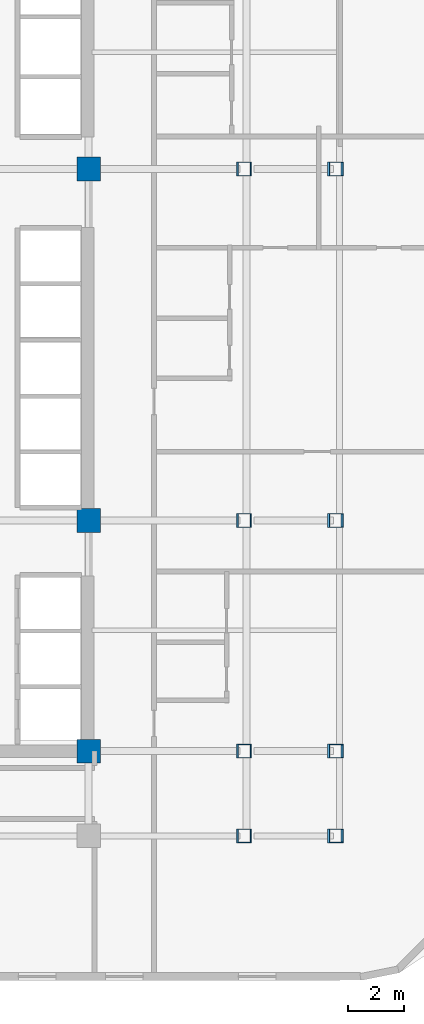
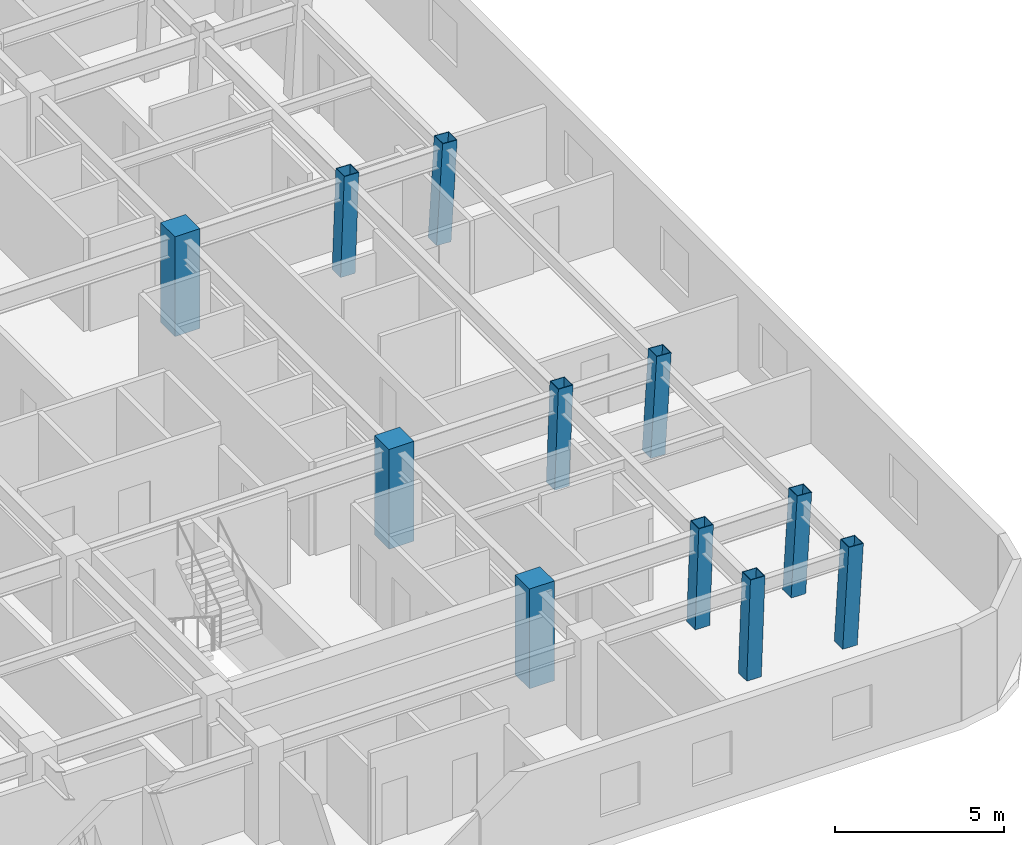
# One storey, part 2 of 12: 11 columns.
"""IFC4 building model written with IfcOpenShell, lengths in metres."""

import ifcopenshell
import ifcopenshell.guid

model = None  # the IFC model being written
_history = None  # IfcOwnerHistory: only IFC2X3 demands one
_inside = {}  # id of a spatial element -> (the spatial element, [elements in it])
_under = {}  # id of a project, library or spatial element -> (it, [spatial elements below it])
_declared = {}  # id of a project -> (the project, [libraries it declares])
_typed = {}  # id of a type object -> (the type object, [elements of that type])
_made_of = {}  # id of a material, layer set ... -> (it, [elements and type objects made of it])


def new_model(schema):
    """Start an empty IFC model of exactly this schema.

    Asked for "IFC4X3", IfcOpenShell would pick the latest addendum, in which some entities
    have other attributes; the version numbers below select the first issue.
    IFC2X3 requires an IfcOwnerHistory on every rooted entity: one is made here for all.
    """
    global model, _history
    if schema == "IFC4X3":
        model = ifcopenshell.file(schema_version=(4, 3, 0, 0))
    else:
        model = ifcopenshell.file(schema=schema)
    _inside.clear()
    _under.clear()
    _declared.clear()
    _typed.clear()
    _made_of.clear()
    _history = None
    if model.schema == "IFC2X3":
        org = make("IfcOrganization", Name="unknown")
        user = make(
            "IfcPersonAndOrganization",
            ThePerson=make("IfcPerson", FamilyName="unknown"),
            TheOrganization=org,
        )
        app = make(
            "IfcApplication",
            ApplicationDeveloper=org,
            Version="unknown",
            ApplicationFullName="unknown",
            ApplicationIdentifier="unknown",
        )
        _history = make(
            "IfcOwnerHistory",
            OwningUser=user,
            OwningApplication=app,
            ChangeAction="ADDED",
            CreationDate=0,
        )
    return model


def make(cls, **values):
    """One entity of the class cls with the attributes given. An attribute that is None is left unset."""
    return model.create_entity(
        cls, **{name: value for name, value in values.items() if value is not None}
    )


def rooted(cls, **values):
    """An entity with a GlobalId (a new one), such as an element, a storey or a relation."""
    return make(cls, GlobalId=ifcopenshell.guid.new(), OwnerHistory=_history, **values)


def si_unit(unit_type, name, prefix=None):
    """IfcSIUnit, for example si_unit("LENGTHUNIT", "METRE", prefix="MILLI")."""
    return make("IfcSIUnit", UnitType=unit_type, Prefix=prefix, Name=name)


def assignment(units):
    """IfcUnitAssignment: the units of a project."""
    return None if units is None else make("IfcUnitAssignment", Units=units)


def point(xyz):
    """IfcCartesianPoint."""
    return None if xyz is None else make("IfcCartesianPoint", Coordinates=xyz)


def direction(xyz):
    """IfcDirection."""
    return None if xyz is None else make("IfcDirection", DirectionRatios=xyz)


def frame(location, z_axis=None, x_axis=None):
    """IfcAxis2Placement3D, a coordinate frame: its origin and axes. An axis left out is left unset."""
    return make(
        "IfcAxis2Placement3D",
        Location=point(location),
        Axis=direction(z_axis),
        RefDirection=direction(x_axis),
    )


def frame_2d(location, x_axis=None):
    """IfcAxis2Placement2D, a coordinate frame in the plane: its origin and x axis."""
    return make(
        "IfcAxis2Placement2D", Location=point(location), RefDirection=direction(x_axis)
    )


def origin():
    """The frame at (0, 0, 0) with its axes left unset."""
    return frame((0.0, 0.0, 0.0))


def origin_2d():
    """The frame at (0, 0) in the plane with its x axis left unset."""
    return frame_2d((0.0, 0.0))


def place(relative_to, where):
    """IfcLocalPlacement: puts the frame where relative to a parent placement (None: the world)."""
    return make(
        "IfcLocalPlacement", PlacementRelTo=relative_to, RelativePlacement=where
    )


def context(
    kind, dimensions, precision=None, world=None, true_north=None, identifier=None
):
    """IfcGeometricRepresentationContext, for example the 3D "Model" context."""
    return make(
        "IfcGeometricRepresentationContext",
        ContextIdentifier=identifier,
        ContextType=kind,
        CoordinateSpaceDimension=dimensions,
        Precision=precision,
        WorldCoordinateSystem=world,
        TrueNorth=true_north,
    )


def subcontext(parent, identifier, kind, view, scale=None):
    """IfcGeometricRepresentationSubContext, for example "Body" below "Model"."""
    return make(
        "IfcGeometricRepresentationSubContext",
        ContextIdentifier=identifier,
        ContextType=kind,
        ParentContext=parent,
        TargetScale=scale,
        TargetView=view,
    )


def project(units=None, contexts=None):
    """IfcProject with its units and contexts."""
    return rooted(
        "IfcProject",
        Name="project",
        RepresentationContexts=contexts,
        UnitsInContext=assignment(units),
    )


def spatial(cls, under=None, at=None, **own):
    """A site, building, storey or space (cls), placed at a placement, below another one or the project."""
    s = rooted(cls, ObjectPlacement=at, **own)
    if under is not None:
        _under.setdefault(under.id(), (under, []))[1].append(s)
    return s


def profile(cls, at=None, kind="AREA", **sizes):
    """A parametric profile (cls). Its sizes go by their IFC names, for example OverallWidth=200.0."""
    return make(cls, ProfileType=kind, Position=at, **sizes)


def rectangle(**sizes):
    """IfcRectangleProfileDef."""
    return profile("IfcRectangleProfileDef", **sizes)


def hollow_rectangle(**sizes):
    """IfcRectangleHollowProfileDef."""
    return profile("IfcRectangleHollowProfileDef", **sizes)


def extrude(swept, where, along, depth):
    """IfcExtrudedAreaSolid: the profile swept, set in the frame where, extruded along a direction by depth."""
    return make(
        "IfcExtrudedAreaSolid",
        SweptArea=swept,
        Position=where,
        ExtrudedDirection=direction(along),
        Depth=depth,
    )


def shape(context_of_items, identifier, shape_type, items):
    """IfcShapeRepresentation: the items that make up one representation, for example the "Body"."""
    return make(
        "IfcShapeRepresentation",
        ContextOfItems=context_of_items,
        RepresentationIdentifier=identifier,
        RepresentationType=shape_type,
        Items=items,
    )


def material(Name=None, Category=None):
    """IfcMaterial."""
    return make("IfcMaterial", Name=Name, Category=Category)


def material_profile(
    of_material, cross_section, Name=None, Category=None, Priority=None
):
    """IfcMaterialProfile: a cross section and its material."""
    return make(
        "IfcMaterialProfile",
        Name=Name,
        Material=of_material,
        Profile=cross_section,
        Priority=Priority,
        Category=Category,
    )


def profile_set(profiles, Name=None, composite=None):
    """IfcMaterialProfileSet."""
    return make(
        "IfcMaterialProfileSet",
        Name=Name,
        MaterialProfiles=profiles,
        CompositeProfile=composite,
    )


def made_of(thing, what):
    """Note that an element or type object is made of a material, layer set ...; save() writes the relation."""
    if what is not None:
        _made_of.setdefault(what.id(), (what, []))[1].append(thing)
    return thing


def type_object(cls, material=None, **own):
    """A type object (cls), such as IfcWallType, which elements share."""
    return made_of(rooted(cls, **own), material)


def element(
    cls,
    number,
    at=None,
    inside=None,
    cuts=None,
    type_object=None,
    material=None,
    context=None,
    identifier="Body",
    shape_type=None,
    held_by="IfcProductDefinitionShape",
    body=None,
    shapes=None,
    **own,
):
    """One element of the class cls, such as IfcWall. Its Tag is "e" and its number.

    at: its placement. inside: the storey or other place that contains it. cuts: it is an
    opening in that element (IfcRelVoidsElement). A single representation is given by context,
    identifier, shape_type and body (its items); several are given by shapes. held_by: the class
    of the entity that holds the representations. save() writes the other relations.
    """
    e = rooted(cls, Tag="e%d" % number, ObjectPlacement=at, **own)
    if body is not None:
        shapes = [shape(context, identifier, shape_type, body)]
    if shapes is not None:
        e.Representation = make(held_by, Representations=shapes)
    if inside is not None:
        _inside.setdefault(inside.id(), (inside, []))[1].append(e)
    if cuts is not None:
        rooted(
            "IfcRelVoidsElement", RelatingBuildingElement=cuts, RelatedOpeningElement=e
        )
    if type_object is not None:
        _typed.setdefault(type_object.id(), (type_object, []))[1].append(e)
    return made_of(e, material)


def aggregate(whole, parts):
    """IfcRelAggregates: a whole, such as a stair, and the parts it consists of."""
    return rooted("IfcRelAggregates", RelatingObject=whole, RelatedObjects=parts)


def save(model, path):
    """Write the relations noted so far, then the file.

    IfcRelAggregates (storeys below a building ...), IfcRelContainedInSpatialStructure (elements
    in a storey), IfcRelDefinesByType, IfcRelAssociatesMaterial and IfcRelDeclares: one each for
    every whole, place, type object, material and project.
    """
    for whole, parts in _under.values():
        aggregate(whole, parts)
    for where, things in _inside.values():
        rooted(
            "IfcRelContainedInSpatialStructure",
            RelatedElements=things,
            RelatingStructure=where,
        )
    for kind, things in _typed.values():
        rooted("IfcRelDefinesByType", RelatedObjects=things, RelatingType=kind)
    for what, things in _made_of.values():
        rooted("IfcRelAssociatesMaterial", RelatedObjects=things, RelatingMaterial=what)
    for by, libraries in _declared.values():
        rooted("IfcRelDeclares", RelatingContext=by, RelatedDefinitions=libraries)
    model.write(path)


model = new_model("IFC4")

# Units and contexts
model_context = context("Model", 3, precision=1e-05, world=origin(), true_north=direction((0.0, 1.0)))
body_context = subcontext(model_context, "Body", "Model", "MODEL_VIEW")
ifc_project = project(units=[si_unit("LENGTHUNIT", "METRE"), si_unit("AREAUNIT", "SQUARE_METRE"), si_unit("VOLUMEUNIT", "CUBIC_METRE"), si_unit("PLANEANGLEUNIT", "RADIAN"), si_unit("MASSUNIT", "GRAM", prefix="KILO")], contexts=[model_context])

# Site, building, storey
site_placement = place(None, origin())
site = spatial("IfcSite", under=ifc_project, at=site_placement, CompositionType="ELEMENT")
building_placement = place(site_placement, origin())
building = spatial("IfcBuilding", under=site, at=building_placement, Name="Ochreholt Gables", CompositionType="ELEMENT")
storey_placement = place(building_placement, frame((0.0, 0.0, 24.0)))
storey = spatial("IfcBuildingStorey", under=building, at=storey_placement, Name="L05", CompositionType="ELEMENT", Elevation=24.0)

# Columns
ifc_material_1 = material(Name="Steel CSA G40.21 350W", Category="steel")
ifc_material_profile_1 = material_profile(ifc_material_1, hollow_rectangle(XDim=0.5, YDim=0.5, WallThickness=0.02197265625, at=origin_2d()), Name="HSS500X500X22")
ifc_profile_set_1 = profile_set([ifc_material_profile_1], Name="Steel CSA G40.21 350W")
column_type_1 = type_object("IfcColumnType", Name="COL-HSS500-RAK", PredefinedType="COLUMN", material=ifc_profile_set_1)
for number, where, z_axis, x_axis, name in (
    (1, (40.77587890625, 9.25, 0.0), (0.035038826602, 0.0, 0.999385951788), (0.0, 1.0, 0.0), "L05 Column EMY2"),
    (2, (40.77587890625, 17.550048828125, 0.0), (0.035038826602, 0.0, 0.999385951788), (0.0, 1.0, 0.0), "L05 Column EMY3"),
    (3, (40.77587890625, 30.199951171875, 0.0), (0.035038826602, 0.0, 0.999385951788), (0.0, 1.0, 0.0), "L05 Column EMY4"),
):
    element("IfcColumn", number, at=place(storey_placement, frame(where, z_axis=z_axis, x_axis=x_axis)), inside=storey, type_object=column_type_1, Name=name, PredefinedType="COLUMN", context=body_context, shape_type="SweptSolid", body=[
        extrude(hollow_rectangle(XDim=0.5, YDim=0.5, WallThickness=0.02197265625, at=origin_2d()), origin(), (0.0, 0.0, 1.0), 3.602294921875),
    ])
ifc_material_profile_2 = material_profile(ifc_material_1, hollow_rectangle(XDim=0.5, YDim=0.5, WallThickness=0.02197265625, at=origin_2d()), Name="HSS500X500X22")
ifc_profile_set_2 = profile_set([ifc_material_profile_2], Name="Steel CSA G40.21 350W")
column_type_2 = type_object("IfcColumnType", Name="COL-HSS500-RAKE", PredefinedType="COLUMN", material=ifc_profile_set_2)
column_placement = place(storey_placement, frame((40.77587890625, 6.199951171875, 0.0), z_axis=(0.035038826602, 0.0, 0.999385951788), x_axis=(0.0, 1.0, 0.0)))
element("IfcColumn", 4, at=column_placement, inside=storey, type_object=column_type_2, Name="L05 Column EMY1", PredefinedType="COLUMN", context=body_context, shape_type="SweptSolid", body=[
    extrude(hollow_rectangle(XDim=0.5, YDim=0.5, WallThickness=0.02197265625, at=origin_2d()), origin(), (0.0, 0.0, 1.0), 3.602294921875),
])
for number, where, z_axis, x_axis, name in (
    (5, (44.048828125, 6.199951171875, 0.0), (0.057884606321, 0.0, 0.998323280481), (0.0, 1.0, 0.0), "L05 Column EEY1"),
    (6, (44.048828125, 9.25, 0.0), (0.057884606321, 0.0, 0.998323280481), (0.0, 1.0, 0.0), "L05 Column EEY2"),
    (7, (44.048828125, 17.550048828125, 0.0), (0.057884606321, 0.0, 0.998323280481), (0.0, 1.0, 0.0), "L05 Column EEY3"),
    (8, (44.048828125, 30.199951171875, 0.0), (0.057884606321, 0.0, 0.998323280481), (0.0, 1.0, 0.0), "L05 Column EEY4"),
):
    element("IfcColumn", number, at=place(storey_placement, frame(where, z_axis=z_axis, x_axis=x_axis)), inside=storey, type_object=column_type_2, Name=name, PredefinedType="COLUMN", context=body_context, shape_type="SweptSolid", body=[
        extrude(hollow_rectangle(XDim=0.5, YDim=0.5, WallThickness=0.02197265625, at=origin_2d()), origin(), (0.0, 0.0, 1.0), 3.606201171875),
    ])
ifc_material_2 = material(Name="Concrete 60 MPa", Category="concrete")
ifc_material_profile_3 = material_profile(ifc_material_2, rectangle(XDim=0.85009765625, YDim=0.85009765625, at=origin_2d()), Name="RC850X850")
ifc_profile_set_3 = profile_set([ifc_material_profile_3], Name="Concrete 60 MPa")
column_type_3 = type_object("IfcColumnType", Name="COL-RC850-INT", PredefinedType="COLUMN", material=ifc_profile_set_3)
for number, where, z_axis, x_axis, name in (
    (9, (35.199951171875, 9.25, 0.0), (0.0, 0.0, 1.0), (1.0, 0.0, 0.0), "L05 Column C2Y2"),
    (10, (35.199951171875, 17.550048828125, 0.0), (0.0, 0.0, 1.0), (1.0, 0.0, 0.0), "L05 Column C2Y3"),
    (11, (35.199951171875, 30.199951171875, 0.0), (0.0, 0.0, 1.0), (1.0, 0.0, 0.0), "L05 Column C2Y4"),
):
    element("IfcColumn", number, at=place(storey_placement, frame(where, z_axis=z_axis, x_axis=x_axis)), inside=storey, type_object=column_type_3, Name=name, PredefinedType="COLUMN", context=body_context, shape_type="SweptSolid", body=[
        extrude(rectangle(XDim=0.85009765625, YDim=0.85009765625, at=origin_2d()), origin(), (0.0, 0.0, 1.0), 3.60009765625),
    ])

save(model, "model.ifc")
